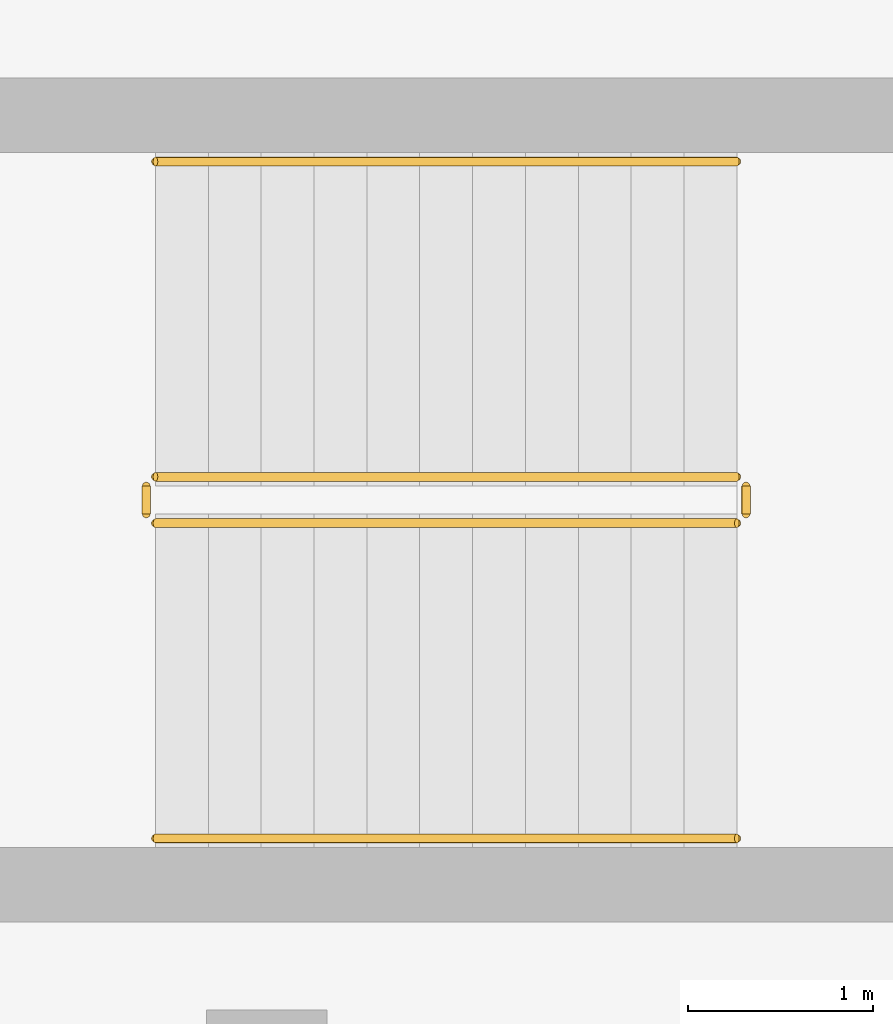
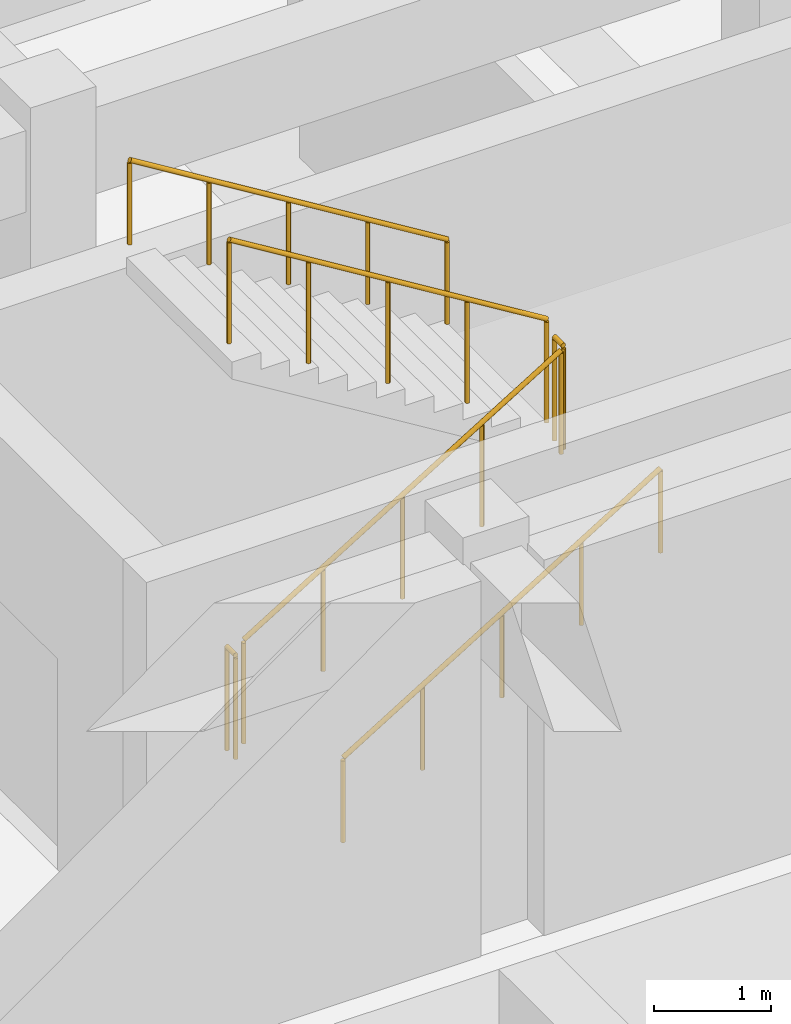
# One storey, part 29 of 31: 6 railings.
"""IFC4 building model written with IfcOpenShell, lengths in metres."""

import ifcopenshell
import ifcopenshell.guid

model = None  # the IFC model being written
_history = None  # IfcOwnerHistory: only IFC2X3 demands one
_inside = {}  # id of a spatial element -> (the spatial element, [elements in it])
_under = {}  # id of a project, library or spatial element -> (it, [spatial elements below it])
_declared = {}  # id of a project -> (the project, [libraries it declares])
_typed = {}  # id of a type object -> (the type object, [elements of that type])
_made_of = {}  # id of a material, layer set ... -> (it, [elements and type objects made of it])


def new_model(schema):
    """Start an empty IFC model of exactly this schema.

    Asked for "IFC4X3", IfcOpenShell would pick the latest addendum, in which some entities
    have other attributes; the version numbers below select the first issue.
    IFC2X3 requires an IfcOwnerHistory on every rooted entity: one is made here for all.
    """
    global model, _history
    if schema == "IFC4X3":
        model = ifcopenshell.file(schema_version=(4, 3, 0, 0))
    else:
        model = ifcopenshell.file(schema=schema)
    _inside.clear()
    _under.clear()
    _declared.clear()
    _typed.clear()
    _made_of.clear()
    _history = None
    if model.schema == "IFC2X3":
        org = make("IfcOrganization", Name="unknown")
        user = make(
            "IfcPersonAndOrganization",
            ThePerson=make("IfcPerson", FamilyName="unknown"),
            TheOrganization=org,
        )
        app = make(
            "IfcApplication",
            ApplicationDeveloper=org,
            Version="unknown",
            ApplicationFullName="unknown",
            ApplicationIdentifier="unknown",
        )
        _history = make(
            "IfcOwnerHistory",
            OwningUser=user,
            OwningApplication=app,
            ChangeAction="ADDED",
            CreationDate=0,
        )
    return model


def make(cls, **values):
    """One entity of the class cls with the attributes given. An attribute that is None is left unset."""
    return model.create_entity(
        cls, **{name: value for name, value in values.items() if value is not None}
    )


def rooted(cls, **values):
    """An entity with a GlobalId (a new one), such as an element, a storey or a relation."""
    return make(cls, GlobalId=ifcopenshell.guid.new(), OwnerHistory=_history, **values)


def si_unit(unit_type, name, prefix=None):
    """IfcSIUnit, for example si_unit("LENGTHUNIT", "METRE", prefix="MILLI")."""
    return make("IfcSIUnit", UnitType=unit_type, Prefix=prefix, Name=name)


def assignment(units):
    """IfcUnitAssignment: the units of a project."""
    return None if units is None else make("IfcUnitAssignment", Units=units)


def point(xyz):
    """IfcCartesianPoint."""
    return None if xyz is None else make("IfcCartesianPoint", Coordinates=xyz)


def direction(xyz):
    """IfcDirection."""
    return None if xyz is None else make("IfcDirection", DirectionRatios=xyz)


def frame(location, z_axis=None, x_axis=None):
    """IfcAxis2Placement3D, a coordinate frame: its origin and axes. An axis left out is left unset."""
    return make(
        "IfcAxis2Placement3D",
        Location=point(location),
        Axis=direction(z_axis),
        RefDirection=direction(x_axis),
    )


def frame_2d(location, x_axis=None):
    """IfcAxis2Placement2D, a coordinate frame in the plane: its origin and x axis."""
    return make(
        "IfcAxis2Placement2D", Location=point(location), RefDirection=direction(x_axis)
    )


def origin():
    """The frame at (0, 0, 0) with its axes left unset."""
    return frame((0.0, 0.0, 0.0))


def origin_2d():
    """The frame at (0, 0) in the plane with its x axis left unset."""
    return frame_2d((0.0, 0.0))


def place(relative_to, where):
    """IfcLocalPlacement: puts the frame where relative to a parent placement (None: the world)."""
    return make(
        "IfcLocalPlacement", PlacementRelTo=relative_to, RelativePlacement=where
    )


def context(
    kind, dimensions, precision=None, world=None, true_north=None, identifier=None
):
    """IfcGeometricRepresentationContext, for example the 3D "Model" context."""
    return make(
        "IfcGeometricRepresentationContext",
        ContextIdentifier=identifier,
        ContextType=kind,
        CoordinateSpaceDimension=dimensions,
        Precision=precision,
        WorldCoordinateSystem=world,
        TrueNorth=true_north,
    )


def subcontext(parent, identifier, kind, view, scale=None):
    """IfcGeometricRepresentationSubContext, for example "Body" below "Model"."""
    return make(
        "IfcGeometricRepresentationSubContext",
        ContextIdentifier=identifier,
        ContextType=kind,
        ParentContext=parent,
        TargetScale=scale,
        TargetView=view,
    )


def project(units=None, contexts=None):
    """IfcProject with its units and contexts."""
    return rooted(
        "IfcProject",
        Name="project",
        RepresentationContexts=contexts,
        UnitsInContext=assignment(units),
    )


def spatial(cls, under=None, at=None, **own):
    """A site, building, storey or space (cls), placed at a placement, below another one or the project."""
    s = rooted(cls, ObjectPlacement=at, **own)
    if under is not None:
        _under.setdefault(under.id(), (under, []))[1].append(s)
    return s


def profile(cls, at=None, kind="AREA", **sizes):
    """A parametric profile (cls). Its sizes go by their IFC names, for example OverallWidth=200.0."""
    return make(cls, ProfileType=kind, Position=at, **sizes)


def circle(**sizes):
    """IfcCircleProfileDef."""
    return profile("IfcCircleProfileDef", **sizes)


def extrude(swept, where, along, depth):
    """IfcExtrudedAreaSolid: the profile swept, set in the frame where, extruded along a direction by depth."""
    return make(
        "IfcExtrudedAreaSolid",
        SweptArea=swept,
        Position=where,
        ExtrudedDirection=direction(along),
        Depth=depth,
    )


def shape(context_of_items, identifier, shape_type, items):
    """IfcShapeRepresentation: the items that make up one representation, for example the "Body"."""
    return make(
        "IfcShapeRepresentation",
        ContextOfItems=context_of_items,
        RepresentationIdentifier=identifier,
        RepresentationType=shape_type,
        Items=items,
    )


def material(Name=None, Category=None):
    """IfcMaterial."""
    return make("IfcMaterial", Name=Name, Category=Category)


def made_of(thing, what):
    """Note that an element or type object is made of a material, layer set ...; save() writes the relation."""
    if what is not None:
        _made_of.setdefault(what.id(), (what, []))[1].append(thing)
    return thing


def type_object(cls, material=None, **own):
    """A type object (cls), such as IfcWallType, which elements share."""
    return made_of(rooted(cls, **own), material)


def element(
    cls,
    number,
    at=None,
    inside=None,
    cuts=None,
    type_object=None,
    material=None,
    context=None,
    identifier="Body",
    shape_type=None,
    held_by="IfcProductDefinitionShape",
    body=None,
    shapes=None,
    **own,
):
    """One element of the class cls, such as IfcWall. Its Tag is "e" and its number.

    at: its placement. inside: the storey or other place that contains it. cuts: it is an
    opening in that element (IfcRelVoidsElement). A single representation is given by context,
    identifier, shape_type and body (its items); several are given by shapes. held_by: the class
    of the entity that holds the representations. save() writes the other relations.
    """
    e = rooted(cls, Tag="e%d" % number, ObjectPlacement=at, **own)
    if body is not None:
        shapes = [shape(context, identifier, shape_type, body)]
    if shapes is not None:
        e.Representation = make(held_by, Representations=shapes)
    if inside is not None:
        _inside.setdefault(inside.id(), (inside, []))[1].append(e)
    if cuts is not None:
        rooted(
            "IfcRelVoidsElement", RelatingBuildingElement=cuts, RelatedOpeningElement=e
        )
    if type_object is not None:
        _typed.setdefault(type_object.id(), (type_object, []))[1].append(e)
    return made_of(e, material)


def aggregate(whole, parts):
    """IfcRelAggregates: a whole, such as a stair, and the parts it consists of."""
    return rooted("IfcRelAggregates", RelatingObject=whole, RelatedObjects=parts)


def save(model, path):
    """Write the relations noted so far, then the file.

    IfcRelAggregates (storeys below a building ...), IfcRelContainedInSpatialStructure (elements
    in a storey), IfcRelDefinesByType, IfcRelAssociatesMaterial and IfcRelDeclares: one each for
    every whole, place, type object, material and project.
    """
    for whole, parts in _under.values():
        aggregate(whole, parts)
    for where, things in _inside.values():
        rooted(
            "IfcRelContainedInSpatialStructure",
            RelatedElements=things,
            RelatingStructure=where,
        )
    for kind, things in _typed.values():
        rooted("IfcRelDefinesByType", RelatedObjects=things, RelatingType=kind)
    for what, things in _made_of.values():
        rooted("IfcRelAssociatesMaterial", RelatedObjects=things, RelatingMaterial=what)
    for by, libraries in _declared.values():
        rooted("IfcRelDeclares", RelatingContext=by, RelatedDefinitions=libraries)
    model.write(path)


model = new_model("IFC4")

# Units and contexts
model_context = context("Model", 3, precision=1e-05, world=origin(), true_north=direction((0.0, 1.0)))
body_context = subcontext(model_context, "Body", "Model", "MODEL_VIEW")
ifc_project = project(units=[si_unit("LENGTHUNIT", "METRE"), si_unit("AREAUNIT", "SQUARE_METRE"), si_unit("VOLUMEUNIT", "CUBIC_METRE"), si_unit("PLANEANGLEUNIT", "RADIAN"), si_unit("MASSUNIT", "GRAM", prefix="KILO")], contexts=[model_context])

# Site, building, storey
site_placement = place(None, origin())
site = spatial("IfcSite", under=ifc_project, at=site_placement, CompositionType="ELEMENT")
building_placement = place(site_placement, origin())
building = spatial("IfcBuilding", under=site, at=building_placement, Name="Brisavento Harbour Community Centre", CompositionType="ELEMENT")
storey_placement = place(building_placement, frame((0.0, 0.0, -4.199951171875)))
storey = spatial("IfcBuildingStorey", under=building, at=storey_placement, Name="B1", CompositionType="ELEMENT", Elevation=-4.199951171875)

# Railings
ifc_material = material(Name="Stainless steel 1.4401", Category="steel")
railing_type_1 = type_object("IfcRailingType", Name="RL-ST-GUARD", PredefinedType="GUARDRAIL", material=ifc_material)
railing_1_placement = place(storey_placement, frame((157.800048828125, 17.949951171875, 0.175048828125)))
element("IfcRailing", 1, at=railing_1_placement, inside=storey, type_object=railing_type_1, Name="B1 ST-05 stair guard 1", PredefinedType="GUARDRAIL", context=body_context, shape_type="SweptSolid", body=[
    extrude(circle(Radius=0.02392578125, at=origin_2d()), frame((0.0, 0.0, 1.076171875), z_axis=(0.852195625947, 0.0, 0.523223293744), x_axis=(0.0, 1.0, 0.0)), (0.0, 0.0, 1.0), 3.6787109375),
    extrude(circle(Radius=0.02099609375, at=origin_2d()), origin(), (0.0, 0.0, 1.0), 1.052001953125),
    extrude(circle(Radius=0.02099609375, at=origin_2d()), frame((0.78369140625, 0.0, 0.481201171875)), (0.0, 0.0, 1.0), 1.052001953125),
    extrude(circle(Radius=0.02099609375, at=origin_2d()), frame((1.5673828125, 0.0, 0.96240234375)), (0.0, 0.0, 1.0), 1.052001953125),
    extrude(circle(Radius=0.02099609375, at=origin_2d()), frame((2.351318359375, 0.0, 1.443603515625)), (0.0, 0.0, 1.0), 1.052001953125),
    extrude(circle(Radius=0.02099609375, at=origin_2d()), frame((3.135009765625, 0.0, 1.9248046875)), (0.0, 0.0, 1.0), 1.052001953125),
])
railing_2_placement = place(storey_placement, frame((160.985107421875, 18.0, 2.099853515625)))
element("IfcRailing", 2, at=railing_2_placement, inside=storey, type_object=railing_type_1, Name="B1 ST-05 stair guard 2", PredefinedType="GUARDRAIL", context=body_context, shape_type="SweptSolid", body=[
    extrude(circle(Radius=0.02392578125, at=origin_2d()), frame((0.0, 0.0, 1.076171875), z_axis=(0.0, 1.0, 0.0), x_axis=(-1.0, 0.0, 0.0)), (0.0, 0.0, 1.0), 0.14990234375),
    extrude(circle(Radius=0.02099609375, at=origin_2d()), origin(), (0.0, 0.0, 1.0), 1.052001953125),
    extrude(circle(Radius=0.02099609375, at=origin_2d()), frame((0.0, 0.14990234375, 0.0)), (0.0, 0.0, 1.0), 1.052001953125),
])
railing_3_placement = place(storey_placement, frame((160.93505859375, 18.199951171875, 2.27490234375)))
element("IfcRailing", 3, at=railing_3_placement, inside=storey, type_object=railing_type_1, Name="B1 ST-05 stair guard 3", PredefinedType="GUARDRAIL", context=body_context, shape_type="SweptSolid", body=[
    extrude(circle(Radius=0.02392578125, at=origin_2d()), frame((0.0, 0.0, 1.076171875), z_axis=(-0.852166034122, 0.0, 0.523271488128), x_axis=(0.0, -1.0, 0.0)), (0.0, 0.0, 1.0), 3.678955078125),
    extrude(circle(Radius=0.02099609375, at=origin_2d()), origin(), (0.0, 0.0, 1.0), 1.052001953125),
    extrude(circle(Radius=0.02099609375, at=origin_2d()), frame((-0.78369140625, 0.0, 0.481201171875)), (0.0, 0.0, 1.0), 1.052001953125),
    extrude(circle(Radius=0.02099609375, at=origin_2d()), frame((-1.5673828125, 0.0, 0.96240234375)), (0.0, 0.0, 1.0), 1.052001953125),
    extrude(circle(Radius=0.02099609375, at=origin_2d()), frame((-2.351318359375, 0.0, 1.44384765625)), (0.0, 0.0, 1.0), 1.052001953125),
    extrude(circle(Radius=0.02099609375, at=origin_2d()), frame((-3.135009765625, 0.0, 1.925048828125)), (0.0, 0.0, 1.0), 1.052001953125),
])
railing_4_placement = place(storey_placement, frame((157.75, 18.0, 0.0)))
element("IfcRailing", 4, at=railing_4_placement, inside=storey, type_object=railing_type_1, Name="B1 ST-05 stair guard 4", PredefinedType="GUARDRAIL", context=body_context, shape_type="SweptSolid", body=[
    extrude(circle(Radius=0.02392578125, at=origin_2d()), frame((0.0, 0.0, 1.076171875), z_axis=(0.0, 1.0, 0.0), x_axis=(-1.0, 0.0, 0.0)), (0.0, 0.0, 1.0), 0.14990234375),
    extrude(circle(Radius=0.02099609375, at=origin_2d()), origin(), (0.0, 0.0, 1.0), 1.052001953125),
    extrude(circle(Radius=0.02099609375, at=origin_2d()), frame((0.0, 0.14990234375, 0.0)), (0.0, 0.0, 1.0), 1.052001953125),
])
railing_type_2 = type_object("IfcRailingType", Name="RL-ST-HAND", PredefinedType="HANDRAIL", material=ifc_material)
railing_5_placement = place(storey_placement, frame((157.800048828125, 16.25, 0.175048828125)))
element("IfcRailing", 5, at=railing_5_placement, inside=storey, type_object=railing_type_2, Name="B1 ST-05 stair handrail 1", PredefinedType="HANDRAIL", context=body_context, shape_type="SweptSolid", body=[
    extrude(circle(Radius=0.02392578125, at=origin_2d()), frame((0.0, 0.0, 0.8759765625), z_axis=(0.852195625947, 0.0, 0.523223293744), x_axis=(0.0, 1.0, 0.0)), (0.0, 0.0, 1.0), 3.6787109375),
    extrude(circle(Radius=0.02099609375, at=origin_2d()), origin(), (0.0, 0.0, 1.0), 0.851806640625),
    extrude(circle(Radius=0.02099609375, at=origin_2d()), frame((0.78369140625, 0.0, 0.481201171875)), (0.0, 0.0, 1.0), 0.851806640625),
    extrude(circle(Radius=0.02099609375, at=origin_2d()), frame((1.5673828125, 0.0, 0.96240234375)), (0.0, 0.0, 1.0), 0.851806640625),
    extrude(circle(Radius=0.02099609375, at=origin_2d()), frame((2.351318359375, 0.0, 1.443603515625)), (0.0, 0.0, 1.0), 0.851806640625),
    extrude(circle(Radius=0.02099609375, at=origin_2d()), frame((3.135009765625, 0.0, 1.9248046875)), (0.0, 0.0, 1.0), 0.851806640625),
])
railing_6_placement = place(storey_placement, frame((160.93505859375, 19.89990234375, 2.27490234375)))
element("IfcRailing", 6, at=railing_6_placement, inside=storey, type_object=railing_type_2, Name="B1 ST-05 stair handrail 2", PredefinedType="HANDRAIL", context=body_context, shape_type="SweptSolid", body=[
    extrude(circle(Radius=0.02392578125, at=origin_2d()), frame((0.0, 0.0, 0.8759765625), z_axis=(-0.852166034122, 0.0, 0.523271488128), x_axis=(0.0, -1.0, 0.0)), (0.0, 0.0, 1.0), 3.678955078125),
    extrude(circle(Radius=0.02099609375, at=origin_2d()), origin(), (0.0, 0.0, 1.0), 0.851806640625),
    extrude(circle(Radius=0.02099609375, at=origin_2d()), frame((-0.78369140625, 0.0, 0.481201171875)), (0.0, 0.0, 1.0), 0.851806640625),
    extrude(circle(Radius=0.02099609375, at=origin_2d()), frame((-1.5673828125, 0.0, 0.96240234375)), (0.0, 0.0, 1.0), 0.851806640625),
    extrude(circle(Radius=0.02099609375, at=origin_2d()), frame((-2.351318359375, 0.0, 1.44384765625)), (0.0, 0.0, 1.0), 0.851806640625),
    extrude(circle(Radius=0.02099609375, at=origin_2d()), frame((-3.135009765625, 0.0, 1.925048828125)), (0.0, 0.0, 1.0), 0.851806640625),
])

save(model, "model.ifc")
